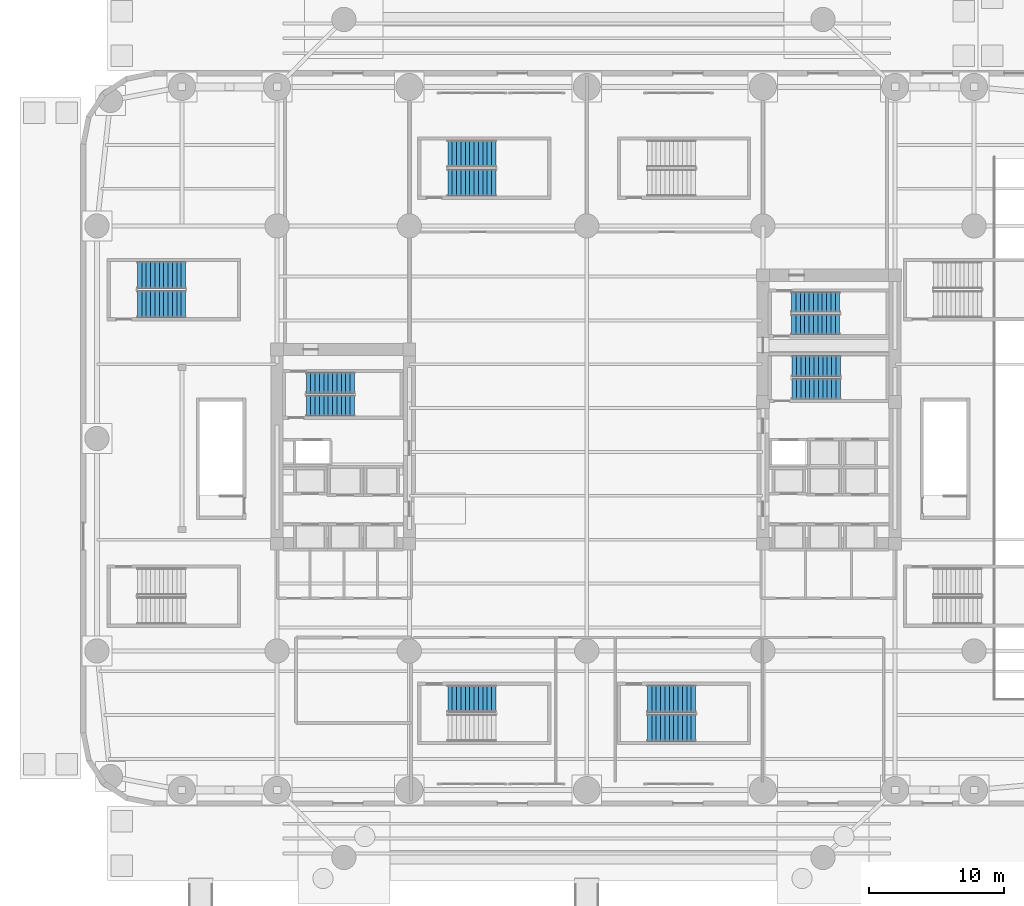
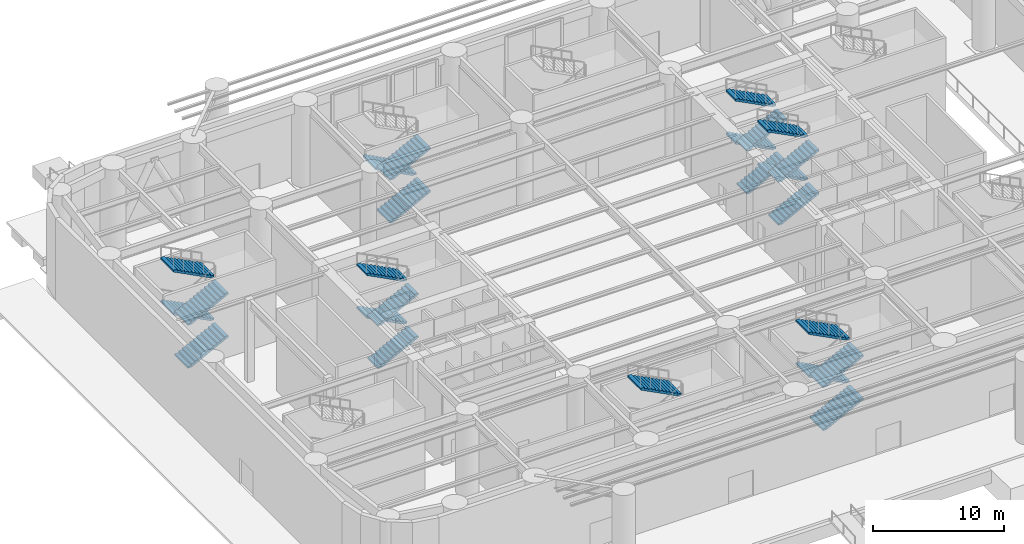
# One storey, part 14 of 25: 24 stair flights, 7 elements without a shape of their own.
"""IFC4 building model written with IfcOpenShell, lengths in metres."""

import ifcopenshell
import ifcopenshell.guid

model = None  # the IFC model being written
_history = None  # IfcOwnerHistory: only IFC2X3 demands one
_inside = {}  # id of a spatial element -> (the spatial element, [elements in it])
_under = {}  # id of a project, library or spatial element -> (it, [spatial elements below it])
_declared = {}  # id of a project -> (the project, [libraries it declares])
_typed = {}  # id of a type object -> (the type object, [elements of that type])
_made_of = {}  # id of a material, layer set ... -> (it, [elements and type objects made of it])


def new_model(schema):
    """Start an empty IFC model of exactly this schema.

    Asked for "IFC4X3", IfcOpenShell would pick the latest addendum, in which some entities
    have other attributes; the version numbers below select the first issue.
    IFC2X3 requires an IfcOwnerHistory on every rooted entity: one is made here for all.
    """
    global model, _history
    if schema == "IFC4X3":
        model = ifcopenshell.file(schema_version=(4, 3, 0, 0))
    else:
        model = ifcopenshell.file(schema=schema)
    _inside.clear()
    _under.clear()
    _declared.clear()
    _typed.clear()
    _made_of.clear()
    _history = None
    if model.schema == "IFC2X3":
        org = make("IfcOrganization", Name="unknown")
        user = make(
            "IfcPersonAndOrganization",
            ThePerson=make("IfcPerson", FamilyName="unknown"),
            TheOrganization=org,
        )
        app = make(
            "IfcApplication",
            ApplicationDeveloper=org,
            Version="unknown",
            ApplicationFullName="unknown",
            ApplicationIdentifier="unknown",
        )
        _history = make(
            "IfcOwnerHistory",
            OwningUser=user,
            OwningApplication=app,
            ChangeAction="ADDED",
            CreationDate=0,
        )
    return model


def make(cls, **values):
    """One entity of the class cls with the attributes given. An attribute that is None is left unset."""
    return model.create_entity(
        cls, **{name: value for name, value in values.items() if value is not None}
    )


def rooted(cls, **values):
    """An entity with a GlobalId (a new one), such as an element, a storey or a relation."""
    return make(cls, GlobalId=ifcopenshell.guid.new(), OwnerHistory=_history, **values)


def si_unit(unit_type, name, prefix=None):
    """IfcSIUnit, for example si_unit("LENGTHUNIT", "METRE", prefix="MILLI")."""
    return make("IfcSIUnit", UnitType=unit_type, Prefix=prefix, Name=name)


def assignment(units):
    """IfcUnitAssignment: the units of a project."""
    return None if units is None else make("IfcUnitAssignment", Units=units)


def point(xyz):
    """IfcCartesianPoint."""
    return None if xyz is None else make("IfcCartesianPoint", Coordinates=xyz)


def direction(xyz):
    """IfcDirection."""
    return None if xyz is None else make("IfcDirection", DirectionRatios=xyz)


def frame(location, z_axis=None, x_axis=None):
    """IfcAxis2Placement3D, a coordinate frame: its origin and axes. An axis left out is left unset."""
    return make(
        "IfcAxis2Placement3D",
        Location=point(location),
        Axis=direction(z_axis),
        RefDirection=direction(x_axis),
    )


def origin():
    """The frame at (0, 0, 0) with its axes left unset."""
    return frame((0.0, 0.0, 0.0))


def place(relative_to, where):
    """IfcLocalPlacement: puts the frame where relative to a parent placement (None: the world)."""
    return make(
        "IfcLocalPlacement", PlacementRelTo=relative_to, RelativePlacement=where
    )


def context(
    kind, dimensions, precision=None, world=None, true_north=None, identifier=None
):
    """IfcGeometricRepresentationContext, for example the 3D "Model" context."""
    return make(
        "IfcGeometricRepresentationContext",
        ContextIdentifier=identifier,
        ContextType=kind,
        CoordinateSpaceDimension=dimensions,
        Precision=precision,
        WorldCoordinateSystem=world,
        TrueNorth=true_north,
    )


def subcontext(parent, identifier, kind, view, scale=None):
    """IfcGeometricRepresentationSubContext, for example "Body" below "Model"."""
    return make(
        "IfcGeometricRepresentationSubContext",
        ContextIdentifier=identifier,
        ContextType=kind,
        ParentContext=parent,
        TargetScale=scale,
        TargetView=view,
    )


def project(units=None, contexts=None):
    """IfcProject with its units and contexts."""
    return rooted(
        "IfcProject",
        Name="project",
        RepresentationContexts=contexts,
        UnitsInContext=assignment(units),
    )


def spatial(cls, under=None, at=None, **own):
    """A site, building, storey or space (cls), placed at a placement, below another one or the project."""
    s = rooted(cls, ObjectPlacement=at, **own)
    if under is not None:
        _under.setdefault(under.id(), (under, []))[1].append(s)
    return s


def polyline(points):
    """IfcPolyline through the points."""
    return make("IfcPolyline", Points=[point(p) for p in points])


def outline(outer, holes=None, kind="AREA"):
    """IfcArbitraryClosedProfileDef: a profile drawn as a closed curve; with holes, ...WithVoids."""
    if holes is None:
        return make("IfcArbitraryClosedProfileDef", ProfileType=kind, OuterCurve=outer)
    return make(
        "IfcArbitraryProfileDefWithVoids",
        ProfileType=kind,
        OuterCurve=outer,
        InnerCurves=holes,
    )


def extrude(swept, where, along, depth):
    """IfcExtrudedAreaSolid: the profile swept, set in the frame where, extruded along a direction by depth."""
    return make(
        "IfcExtrudedAreaSolid",
        SweptArea=swept,
        Position=where,
        ExtrudedDirection=direction(along),
        Depth=depth,
    )


def shape(context_of_items, identifier, shape_type, items):
    """IfcShapeRepresentation: the items that make up one representation, for example the "Body"."""
    return make(
        "IfcShapeRepresentation",
        ContextOfItems=context_of_items,
        RepresentationIdentifier=identifier,
        RepresentationType=shape_type,
        Items=items,
    )


def material(Name=None, Category=None):
    """IfcMaterial."""
    return make("IfcMaterial", Name=Name, Category=Category)


def made_of(thing, what):
    """Note that an element or type object is made of a material, layer set ...; save() writes the relation."""
    if what is not None:
        _made_of.setdefault(what.id(), (what, []))[1].append(thing)
    return thing


def type_object(cls, material=None, **own):
    """A type object (cls), such as IfcWallType, which elements share."""
    return made_of(rooted(cls, **own), material)


def element(
    cls,
    number,
    at=None,
    inside=None,
    cuts=None,
    type_object=None,
    material=None,
    context=None,
    identifier="Body",
    shape_type=None,
    held_by="IfcProductDefinitionShape",
    body=None,
    shapes=None,
    **own,
):
    """One element of the class cls, such as IfcWall. Its Tag is "e" and its number.

    at: its placement. inside: the storey or other place that contains it. cuts: it is an
    opening in that element (IfcRelVoidsElement). A single representation is given by context,
    identifier, shape_type and body (its items); several are given by shapes. held_by: the class
    of the entity that holds the representations. save() writes the other relations.
    """
    e = rooted(cls, Tag="e%d" % number, ObjectPlacement=at, **own)
    if body is not None:
        shapes = [shape(context, identifier, shape_type, body)]
    if shapes is not None:
        e.Representation = make(held_by, Representations=shapes)
    if inside is not None:
        _inside.setdefault(inside.id(), (inside, []))[1].append(e)
    if cuts is not None:
        rooted(
            "IfcRelVoidsElement", RelatingBuildingElement=cuts, RelatedOpeningElement=e
        )
    if type_object is not None:
        _typed.setdefault(type_object.id(), (type_object, []))[1].append(e)
    return made_of(e, material)


def aggregate(whole, parts):
    """IfcRelAggregates: a whole, such as a stair, and the parts it consists of."""
    return rooted("IfcRelAggregates", RelatingObject=whole, RelatedObjects=parts)


def save(model, path):
    """Write the relations noted so far, then the file.

    IfcRelAggregates (storeys below a building ...), IfcRelContainedInSpatialStructure (elements
    in a storey), IfcRelDefinesByType, IfcRelAssociatesMaterial and IfcRelDeclares: one each for
    every whole, place, type object, material and project.
    """
    for whole, parts in _under.values():
        aggregate(whole, parts)
    for where, things in _inside.values():
        rooted(
            "IfcRelContainedInSpatialStructure",
            RelatedElements=things,
            RelatingStructure=where,
        )
    for kind, things in _typed.values():
        rooted("IfcRelDefinesByType", RelatedObjects=things, RelatingType=kind)
    for what, things in _made_of.values():
        rooted("IfcRelAssociatesMaterial", RelatedObjects=things, RelatingMaterial=what)
    for by, libraries in _declared.values():
        rooted("IfcRelDeclares", RelatingContext=by, RelatedDefinitions=libraries)
    model.write(path)


model = new_model("IFC4")

# Units and contexts
model_context = context("Model", 3, precision=1e-05, world=origin(), true_north=direction((0.0, 1.0)))
body_context = subcontext(model_context, "Body", "Model", "MODEL_VIEW")
ifc_project = project(units=[si_unit("LENGTHUNIT", "METRE"), si_unit("AREAUNIT", "SQUARE_METRE"), si_unit("VOLUMEUNIT", "CUBIC_METRE"), si_unit("PLANEANGLEUNIT", "RADIAN"), si_unit("MASSUNIT", "GRAM", prefix="KILO")], contexts=[model_context])

# Site, building, storey
site_placement = place(None, origin())
site = spatial("IfcSite", under=ifc_project, at=site_placement, CompositionType="ELEMENT")
building_placement = place(site_placement, origin())
building = spatial("IfcBuilding", under=site, at=building_placement, Name="Kolvaren Arena Tower", CompositionType="ELEMENT")
storey_placement = place(building_placement, origin())
storey = spatial("IfcBuildingStorey", under=building, at=storey_placement, Name="L00", CompositionType="ELEMENT", Elevation=0.0)

# Stair, stair flights
ifc_material = material(Name="Concrete 45 MPa", Category="concrete")
stair_type_1 = type_object("IfcStairType", Name="STAIR-CORE-150", PredefinedType="HALF_TURN_STAIR", material=ifc_material)
stair_1_placement = place(storey_placement, origin())
stair_1 = element("IfcStair", 1, at=stair_1_placement, inside=storey, type_object=stair_type_1, Name="L00 ST-E2", PredefinedType="HALF_TURN_STAIR")
stair_flight_type_1 = type_object("IfcStairFlightType", Name="FLT-150", PredefinedType="STRAIGHT", material=ifc_material)
stair_flight_1_placement = place(storey_placement, frame((52.679931640625, 35.699951171875, 0.0), z_axis=(0.0, 0.0, 1.0), x_axis=(1.0, 0.0, 0.0)))
stair_flight_1 = element("IfcStairFlight", 2, at=stair_flight_1_placement, type_object=stair_flight_type_1, Name="ST-E2 flight 1", NumberOfRisers=12, NumberOfTreads=11, PredefinedType="STRAIGHT", RiserHeight=0.166666667, TreadLength=0.324, context=body_context, shape_type="SweptSolid", body=[
    extrude(outline(polyline([(0.0, 0.0), (0.0, 0.166748046875), (0.323974609375, 0.166748046875), (0.323974609375, 0.333251953125), (0.64794921875, 0.333251953125), (0.64794921875, 0.5), (0.971923828125, 0.5), (0.971923828125, 0.666748046875), (1.2958984375, 0.666748046875), (1.2958984375, 0.833251953125), (1.6201171875, 0.833251953125), (1.6201171875, 1.0), (1.944091796875, 1.0), (1.944091796875, 1.166748046875), (2.26806640625, 1.166748046875), (2.26806640625, 1.333251953125), (2.592041015625, 1.333251953125), (2.592041015625, 1.5), (2.916015625, 1.5), (2.916015625, 1.666748046875), (3.239990234375, 1.666748046875), (3.239990234375, 1.833251953125), (3.56396484375, 1.833251953125), (3.56396484375, 2.0), (3.56396484375, 1.664794921875), (0.32763671875, 0.0), (0.0, 0.0)])), frame((0.0, 0.75, 0.0), z_axis=(0.0, -1.0, 0.0), x_axis=(1.0, 0.0, 0.0)), (0.0, 0.0, 1.0), 1.5),
])
stair_flight_2_placement = place(storey_placement, frame((56.243896484375, 37.35009765625, 2.0), z_axis=(0.0, 0.0, 1.0), x_axis=(-1.0, 0.0, 0.0)))
stair_flight_2 = element("IfcStairFlight", 3, at=stair_flight_2_placement, type_object=stair_flight_type_1, Name="ST-E2 flight 2", NumberOfRisers=12, NumberOfTreads=11, PredefinedType="STRAIGHT", RiserHeight=0.166666667, TreadLength=0.324, context=body_context, shape_type="SweptSolid", body=[
    extrude(outline(polyline([(0.0, 0.0), (0.0, 0.166748046875), (0.323974609375, 0.166748046875), (0.323974609375, 0.333251953125), (0.64794921875, 0.333251953125), (0.64794921875, 0.5), (0.971923828125, 0.5), (0.971923828125, 0.666748046875), (1.2958984375, 0.666748046875), (1.2958984375, 0.833251953125), (1.6201171875, 0.833251953125), (1.6201171875, 1.0), (1.944091796875, 1.0), (1.944091796875, 1.166748046875), (2.26806640625, 1.166748046875), (2.26806640625, 1.333251953125), (2.592041015625, 1.333251953125), (2.592041015625, 1.5), (2.916015625, 1.5), (2.916015625, 1.666748046875), (3.239990234375, 1.666748046875), (3.239990234375, 1.833251953125), (3.56396484375, 1.833251953125), (3.56396484375, 2.0), (3.56396484375, 1.664794921875), (0.32763671875, 0.0), (0.0, 0.0)])), frame((0.0, 0.75, 0.0), z_axis=(0.0, -1.0, 0.0), x_axis=(1.0, 0.0, 0.0)), (0.0, 0.0, 1.0), 1.5),
])
stair_flight_3_placement = place(storey_placement, frame((52.679931640625, 35.699951171875, 4.0), z_axis=(0.0, 0.0, 1.0), x_axis=(1.0, 0.0, 0.0)))
stair_flight_3 = element("IfcStairFlight", 4, at=stair_flight_3_placement, type_object=stair_flight_type_1, Name="ST-E2 flight 3", NumberOfRisers=12, NumberOfTreads=11, PredefinedType="STRAIGHT", RiserHeight=0.166666667, TreadLength=0.324, context=body_context, shape_type="SweptSolid", body=[
    extrude(outline(polyline([(0.0, 0.0), (0.0, 0.166748046875), (0.323974609375, 0.166748046875), (0.323974609375, 0.333251953125), (0.64794921875, 0.333251953125), (0.64794921875, 0.5), (0.971923828125, 0.5), (0.971923828125, 0.666748046875), (1.2958984375, 0.666748046875), (1.2958984375, 0.833251953125), (1.6201171875, 0.833251953125), (1.6201171875, 1.0), (1.944091796875, 1.0), (1.944091796875, 1.166748046875), (2.26806640625, 1.166748046875), (2.26806640625, 1.333251953125), (2.592041015625, 1.333251953125), (2.592041015625, 1.5), (2.916015625, 1.5), (2.916015625, 1.666748046875), (3.239990234375, 1.666748046875), (3.239990234375, 1.833251953125), (3.56396484375, 1.833251953125), (3.56396484375, 2.0), (3.56396484375, 1.664794921875), (0.32763671875, 0.0), (0.0, 0.0)])), frame((0.0, 0.75, 0.0), z_axis=(0.0, -1.0, 0.0), x_axis=(1.0, 0.0, 0.0)), (0.0, 0.0, 1.0), 1.5),
])
stair_flight_4_placement = place(storey_placement, frame((56.243896484375, 37.35009765625, 6.0), z_axis=(0.0, 0.0, 1.0), x_axis=(-1.0, 0.0, 0.0)))
stair_flight_4 = element("IfcStairFlight", 5, at=stair_flight_4_placement, type_object=stair_flight_type_1, Name="ST-E2 flight 4", NumberOfRisers=12, NumberOfTreads=11, PredefinedType="STRAIGHT", RiserHeight=0.166666667, TreadLength=0.324, context=body_context, shape_type="SweptSolid", body=[
    extrude(outline(polyline([(0.0, 0.0), (0.0, 0.166748046875), (0.323974609375, 0.166748046875), (0.323974609375, 0.333251953125), (0.64794921875, 0.333251953125), (0.64794921875, 0.5), (0.971923828125, 0.5), (0.971923828125, 0.666748046875), (1.2958984375, 0.666748046875), (1.2958984375, 0.833251953125), (1.6201171875, 0.833251953125), (1.6201171875, 1.0), (1.944091796875, 1.0), (1.944091796875, 1.166748046875), (2.26806640625, 1.166748046875), (2.26806640625, 1.333251953125), (2.592041015625, 1.333251953125), (2.592041015625, 1.5), (2.916015625, 1.5), (2.916015625, 1.666748046875), (3.239990234375, 1.666748046875), (3.239990234375, 1.833251953125), (3.56396484375, 1.833251953125), (3.56396484375, 2.0), (3.56396484375, 1.664794921875), (0.32763671875, 0.0), (0.0, 0.0)])), frame((0.0, 0.75, 0.0), z_axis=(0.0, -1.0, 0.0), x_axis=(1.0, 0.0, 0.0)), (0.0, 0.0, 1.0), 1.5),
])
aggregate(stair_1, [stair_flight_1, stair_flight_2, stair_flight_3, stair_flight_4])

stair_type_2 = type_object("IfcStairType", Name="STAIR-CORE-165", PredefinedType="HALF_TURN_STAIR", material=ifc_material)
stair_2_placement = place(storey_placement, origin())
stair_2 = element("IfcStair", 6, at=stair_2_placement, inside=storey, type_object=stair_type_2, Name="L00 ST-W1", PredefinedType="HALF_TURN_STAIR")
stair_flight_type_2 = type_object("IfcStairFlightType", Name="FLT-165", PredefinedType="STRAIGHT", material=ifc_material)
stair_flight_5_placement = place(storey_placement, frame((16.719970703125, 29.669921875, 0.0), z_axis=(0.0, 0.0, 1.0), x_axis=(1.0, 0.0, 0.0)))
stair_flight_5 = element("IfcStairFlight", 7, at=stair_flight_5_placement, type_object=stair_flight_type_2, Name="ST-W1 flight 1", NumberOfRisers=12, NumberOfTreads=11, PredefinedType="STRAIGHT", RiserHeight=0.166666667, TreadLength=0.324, context=body_context, shape_type="SweptSolid", body=[
    extrude(outline(polyline([(0.0, 0.0), (0.0, 0.166748046875), (0.323974609375, 0.166748046875), (0.323974609375, 0.333251953125), (0.64794921875, 0.333251953125), (0.64794921875, 0.5), (0.971923828125, 0.5), (0.971923828125, 0.666748046875), (1.2958984375, 0.666748046875), (1.2958984375, 0.833251953125), (1.6201171875, 0.833251953125), (1.6201171875, 1.0), (1.944091796875, 1.0), (1.944091796875, 1.166748046875), (2.26806640625, 1.166748046875), (2.26806640625, 1.333251953125), (2.592041015625, 1.333251953125), (2.592041015625, 1.5), (2.916015625, 1.5), (2.916015625, 1.666748046875), (3.239990234375, 1.666748046875), (3.239990234375, 1.833251953125), (3.56396484375, 1.833251953125), (3.56396484375, 2.0), (3.56396484375, 1.664794921875), (0.32763671875, 0.0), (0.0, 0.0)])), frame((0.0, 0.77001953125, 0.0), z_axis=(0.0, -1.0, 0.0), x_axis=(1.0, 0.0, 0.0)), (0.0, 0.0, 1.0), 1.5400390625),
])
stair_flight_6_placement = place(storey_placement, frame((20.283935546875, 31.360107421875, 2.0), z_axis=(0.0, 0.0, 1.0), x_axis=(-1.0, 0.0, 0.0)))
stair_flight_6 = element("IfcStairFlight", 8, at=stair_flight_6_placement, type_object=stair_flight_type_2, Name="ST-W1 flight 2", NumberOfRisers=12, NumberOfTreads=11, PredefinedType="STRAIGHT", RiserHeight=0.166666667, TreadLength=0.324, context=body_context, shape_type="SweptSolid", body=[
    extrude(outline(polyline([(0.0, 0.0), (0.0, 0.166748046875), (0.323974609375, 0.166748046875), (0.323974609375, 0.333251953125), (0.64794921875, 0.333251953125), (0.64794921875, 0.5), (0.971923828125, 0.5), (0.971923828125, 0.666748046875), (1.2958984375, 0.666748046875), (1.2958984375, 0.833251953125), (1.6201171875, 0.833251953125), (1.6201171875, 1.0), (1.944091796875, 1.0), (1.944091796875, 1.166748046875), (2.26806640625, 1.166748046875), (2.26806640625, 1.333251953125), (2.592041015625, 1.333251953125), (2.592041015625, 1.5), (2.916015625, 1.5), (2.916015625, 1.666748046875), (3.239990234375, 1.666748046875), (3.239990234375, 1.833251953125), (3.56396484375, 1.833251953125), (3.56396484375, 2.0), (3.56396484375, 1.664794921875), (0.32763671875, 0.0), (0.0, 0.0)])), frame((0.0, 0.77001953125, 0.0), z_axis=(0.0, -1.0, 0.0), x_axis=(1.0, 0.0, 0.0)), (0.0, 0.0, 1.0), 1.5400390625),
])
stair_flight_7_placement = place(storey_placement, frame((16.719970703125, 29.669921875, 4.0), z_axis=(0.0, 0.0, 1.0), x_axis=(1.0, 0.0, 0.0)))
stair_flight_7 = element("IfcStairFlight", 9, at=stair_flight_7_placement, type_object=stair_flight_type_2, Name="ST-W1 flight 3", NumberOfRisers=12, NumberOfTreads=11, PredefinedType="STRAIGHT", RiserHeight=0.166666667, TreadLength=0.324, context=body_context, shape_type="SweptSolid", body=[
    extrude(outline(polyline([(0.0, 0.0), (0.0, 0.166748046875), (0.323974609375, 0.166748046875), (0.323974609375, 0.333251953125), (0.64794921875, 0.333251953125), (0.64794921875, 0.5), (0.971923828125, 0.5), (0.971923828125, 0.666748046875), (1.2958984375, 0.666748046875), (1.2958984375, 0.833251953125), (1.6201171875, 0.833251953125), (1.6201171875, 1.0), (1.944091796875, 1.0), (1.944091796875, 1.166748046875), (2.26806640625, 1.166748046875), (2.26806640625, 1.333251953125), (2.592041015625, 1.333251953125), (2.592041015625, 1.5), (2.916015625, 1.5), (2.916015625, 1.666748046875), (3.239990234375, 1.666748046875), (3.239990234375, 1.833251953125), (3.56396484375, 1.833251953125), (3.56396484375, 2.0), (3.56396484375, 1.664794921875), (0.32763671875, 0.0), (0.0, 0.0)])), frame((0.0, 0.77001953125, 0.0), z_axis=(0.0, -1.0, 0.0), x_axis=(1.0, 0.0, 0.0)), (0.0, 0.0, 1.0), 1.5400390625),
])
stair_flight_8_placement = place(storey_placement, frame((20.283935546875, 31.360107421875, 6.0), z_axis=(0.0, 0.0, 1.0), x_axis=(-1.0, 0.0, 0.0)))
stair_flight_8 = element("IfcStairFlight", 10, at=stair_flight_8_placement, type_object=stair_flight_type_2, Name="ST-W1 flight 4", NumberOfRisers=12, NumberOfTreads=11, PredefinedType="STRAIGHT", RiserHeight=0.166666667, TreadLength=0.324, context=body_context, shape_type="SweptSolid", body=[
    extrude(outline(polyline([(0.0, 0.0), (0.0, 0.166748046875), (0.323974609375, 0.166748046875), (0.323974609375, 0.333251953125), (0.64794921875, 0.333251953125), (0.64794921875, 0.5), (0.971923828125, 0.5), (0.971923828125, 0.666748046875), (1.2958984375, 0.666748046875), (1.2958984375, 0.833251953125), (1.6201171875, 0.833251953125), (1.6201171875, 1.0), (1.944091796875, 1.0), (1.944091796875, 1.166748046875), (2.26806640625, 1.166748046875), (2.26806640625, 1.333251953125), (2.592041015625, 1.333251953125), (2.592041015625, 1.5), (2.916015625, 1.5), (2.916015625, 1.666748046875), (3.239990234375, 1.666748046875), (3.239990234375, 1.833251953125), (3.56396484375, 1.833251953125), (3.56396484375, 2.0), (3.56396484375, 1.664794921875), (0.32763671875, 0.0), (0.0, 0.0)])), frame((0.0, 0.77001953125, 0.0), z_axis=(0.0, -1.0, 0.0), x_axis=(1.0, 0.0, 0.0)), (0.0, 0.0, 1.0), 1.5400390625),
])
aggregate(stair_2, [stair_flight_5, stair_flight_6, stair_flight_7, stair_flight_8])

stair_3_placement = place(storey_placement, origin())
stair_3 = element("IfcStair", 11, at=stair_3_placement, inside=storey, type_object=stair_type_2, Name="L00 ST-E1", PredefinedType="HALF_TURN_STAIR")
stair_flight_9_placement = place(storey_placement, frame((52.719970703125, 30.919921875, 0.0), z_axis=(0.0, 0.0, 1.0), x_axis=(1.0, 0.0, 0.0)))
stair_flight_9 = element("IfcStairFlight", 12, at=stair_flight_9_placement, type_object=stair_flight_type_2, Name="ST-E1 flight 1", NumberOfRisers=12, NumberOfTreads=11, PredefinedType="STRAIGHT", RiserHeight=0.166666667, TreadLength=0.324, context=body_context, shape_type="SweptSolid", body=[
    extrude(outline(polyline([(0.0, 0.0), (0.0, 0.166748046875), (0.323974609375, 0.166748046875), (0.323974609375, 0.333251953125), (0.64794921875, 0.333251953125), (0.64794921875, 0.5), (0.971923828125, 0.5), (0.971923828125, 0.666748046875), (1.2958984375, 0.666748046875), (1.2958984375, 0.833251953125), (1.6201171875, 0.833251953125), (1.6201171875, 1.0), (1.944091796875, 1.0), (1.944091796875, 1.166748046875), (2.26806640625, 1.166748046875), (2.26806640625, 1.333251953125), (2.592041015625, 1.333251953125), (2.592041015625, 1.5), (2.916015625, 1.5), (2.916015625, 1.666748046875), (3.239990234375, 1.666748046875), (3.239990234375, 1.833251953125), (3.56396484375, 1.833251953125), (3.56396484375, 2.0), (3.56396484375, 1.664794921875), (0.32763671875, 0.0), (0.0, 0.0)])), frame((0.0, 0.77001953125, 0.0), z_axis=(0.0, -1.0, 0.0), x_axis=(1.0, 0.0, 0.0)), (0.0, 0.0, 1.0), 1.5400390625),
])
stair_flight_10_placement = place(storey_placement, frame((56.283935546875, 32.610107421875, 2.0), z_axis=(0.0, 0.0, 1.0), x_axis=(-1.0, 0.0, 0.0)))
stair_flight_10 = element("IfcStairFlight", 13, at=stair_flight_10_placement, type_object=stair_flight_type_2, Name="ST-E1 flight 2", NumberOfRisers=12, NumberOfTreads=11, PredefinedType="STRAIGHT", RiserHeight=0.166666667, TreadLength=0.324, context=body_context, shape_type="SweptSolid", body=[
    extrude(outline(polyline([(0.0, 0.0), (0.0, 0.166748046875), (0.323974609375, 0.166748046875), (0.323974609375, 0.333251953125), (0.64794921875, 0.333251953125), (0.64794921875, 0.5), (0.971923828125, 0.5), (0.971923828125, 0.666748046875), (1.2958984375, 0.666748046875), (1.2958984375, 0.833251953125), (1.6201171875, 0.833251953125), (1.6201171875, 1.0), (1.944091796875, 1.0), (1.944091796875, 1.166748046875), (2.26806640625, 1.166748046875), (2.26806640625, 1.333251953125), (2.592041015625, 1.333251953125), (2.592041015625, 1.5), (2.916015625, 1.5), (2.916015625, 1.666748046875), (3.239990234375, 1.666748046875), (3.239990234375, 1.833251953125), (3.56396484375, 1.833251953125), (3.56396484375, 2.0), (3.56396484375, 1.664794921875), (0.32763671875, 0.0), (0.0, 0.0)])), frame((0.0, 0.77001953125, 0.0), z_axis=(0.0, -1.0, 0.0), x_axis=(1.0, 0.0, 0.0)), (0.0, 0.0, 1.0), 1.5400390625),
])
stair_flight_11_placement = place(storey_placement, frame((52.719970703125, 30.919921875, 4.0), z_axis=(0.0, 0.0, 1.0), x_axis=(1.0, 0.0, 0.0)))
stair_flight_11 = element("IfcStairFlight", 14, at=stair_flight_11_placement, type_object=stair_flight_type_2, Name="ST-E1 flight 3", NumberOfRisers=12, NumberOfTreads=11, PredefinedType="STRAIGHT", RiserHeight=0.166666667, TreadLength=0.324, context=body_context, shape_type="SweptSolid", body=[
    extrude(outline(polyline([(0.0, 0.0), (0.0, 0.166748046875), (0.323974609375, 0.166748046875), (0.323974609375, 0.333251953125), (0.64794921875, 0.333251953125), (0.64794921875, 0.5), (0.971923828125, 0.5), (0.971923828125, 0.666748046875), (1.2958984375, 0.666748046875), (1.2958984375, 0.833251953125), (1.6201171875, 0.833251953125), (1.6201171875, 1.0), (1.944091796875, 1.0), (1.944091796875, 1.166748046875), (2.26806640625, 1.166748046875), (2.26806640625, 1.333251953125), (2.592041015625, 1.333251953125), (2.592041015625, 1.5), (2.916015625, 1.5), (2.916015625, 1.666748046875), (3.239990234375, 1.666748046875), (3.239990234375, 1.833251953125), (3.56396484375, 1.833251953125), (3.56396484375, 2.0), (3.56396484375, 1.664794921875), (0.32763671875, 0.0), (0.0, 0.0)])), frame((0.0, 0.77001953125, 0.0), z_axis=(0.0, -1.0, 0.0), x_axis=(1.0, 0.0, 0.0)), (0.0, 0.0, 1.0), 1.5400390625),
])
stair_flight_12_placement = place(storey_placement, frame((56.283935546875, 32.610107421875, 6.0), z_axis=(0.0, 0.0, 1.0), x_axis=(-1.0, 0.0, 0.0)))
stair_flight_12 = element("IfcStairFlight", 15, at=stair_flight_12_placement, type_object=stair_flight_type_2, Name="ST-E1 flight 4", NumberOfRisers=12, NumberOfTreads=11, PredefinedType="STRAIGHT", RiserHeight=0.166666667, TreadLength=0.324, context=body_context, shape_type="SweptSolid", body=[
    extrude(outline(polyline([(0.0, 0.0), (0.0, 0.166748046875), (0.323974609375, 0.166748046875), (0.323974609375, 0.333251953125), (0.64794921875, 0.333251953125), (0.64794921875, 0.5), (0.971923828125, 0.5), (0.971923828125, 0.666748046875), (1.2958984375, 0.666748046875), (1.2958984375, 0.833251953125), (1.6201171875, 0.833251953125), (1.6201171875, 1.0), (1.944091796875, 1.0), (1.944091796875, 1.166748046875), (2.26806640625, 1.166748046875), (2.26806640625, 1.333251953125), (2.592041015625, 1.333251953125), (2.592041015625, 1.5), (2.916015625, 1.5), (2.916015625, 1.666748046875), (3.239990234375, 1.666748046875), (3.239990234375, 1.833251953125), (3.56396484375, 1.833251953125), (3.56396484375, 2.0), (3.56396484375, 1.664794921875), (0.32763671875, 0.0), (0.0, 0.0)])), frame((0.0, 0.77001953125, 0.0), z_axis=(0.0, -1.0, 0.0), x_axis=(1.0, 0.0, 0.0)), (0.0, 0.0, 1.0), 1.5400390625),
])
aggregate(stair_3, [stair_flight_9, stair_flight_10, stair_flight_11, stair_flight_12])

# Stair, stair flight
stair_type_3 = type_object("IfcStairType", Name="STAIR-ARENA-220", PredefinedType="HALF_TURN_STAIR", material=ifc_material)
stair_4_placement = place(storey_placement, origin())
stair_4 = element("IfcStair", 16, at=stair_4_placement, inside=storey, type_object=stair_type_3, Name="L00 ST-A2", PredefinedType="HALF_TURN_STAIR")
stair_flight_type_3 = type_object("IfcStairFlightType", Name="FLT-220", PredefinedType="STRAIGHT", material=ifc_material)
stair_flight_13_placement = place(storey_placement, frame((30.763916015625, 7.949951171875, 6.0), z_axis=(0.0, 0.0, 1.0), x_axis=(-1.0, 0.0, 0.0)))
stair_flight_13 = element("IfcStairFlight", 17, at=stair_flight_13_placement, type_object=stair_flight_type_3, Name="ST-A2 flight 4", NumberOfRisers=12, NumberOfTreads=11, PredefinedType="STRAIGHT", RiserHeight=0.166666667, TreadLength=0.324, context=body_context, shape_type="SweptSolid", body=[
    extrude(outline(polyline([(0.0, 0.0), (0.0, 0.166748046875), (0.323974609375, 0.166748046875), (0.323974609375, 0.333251953125), (0.64794921875, 0.333251953125), (0.64794921875, 0.5), (0.971923828125, 0.5), (0.971923828125, 0.666748046875), (1.2958984375, 0.666748046875), (1.2958984375, 0.833251953125), (1.6201171875, 0.833251953125), (1.6201171875, 1.0), (1.944091796875, 1.0), (1.944091796875, 1.166748046875), (2.26806640625, 1.166748046875), (2.26806640625, 1.333251953125), (2.592041015625, 1.333251953125), (2.592041015625, 1.5), (2.916015625, 1.5), (2.916015625, 1.666748046875), (3.239990234375, 1.666748046875), (3.239990234375, 1.833251953125), (3.56396484375, 1.833251953125), (3.56396484375, 2.0), (3.56396484375, 1.664794921875), (0.32763671875, 0.0), (0.0, 0.0)])), frame((0.0, 1.0, 0.0), z_axis=(0.0, -1.0, 0.0), x_axis=(1.0, 0.0, 0.0)), (0.0, 0.0, 1.0), 2.0),
])
aggregate(stair_4, [stair_flight_13])

# Stair, stair flights
stair_5_placement = place(storey_placement, origin())
stair_5 = element("IfcStair", 18, at=stair_5_placement, inside=storey, type_object=stair_type_3, Name="L00 ST-A3", PredefinedType="HALF_TURN_STAIR")
stair_flight_14_placement = place(storey_placement, frame((42.0, 5.800048828125, 0.0), z_axis=(0.0, 0.0, 1.0), x_axis=(1.0, 0.0, 0.0)))
stair_flight_14 = element("IfcStairFlight", 19, at=stair_flight_14_placement, type_object=stair_flight_type_3, Name="ST-A3 flight 1", NumberOfRisers=12, NumberOfTreads=11, PredefinedType="STRAIGHT", RiserHeight=0.166666667, TreadLength=0.324, context=body_context, shape_type="SweptSolid", body=[
    extrude(outline(polyline([(0.0, 0.0), (0.0, 0.166748046875), (0.323974609375, 0.166748046875), (0.323974609375, 0.333251953125), (0.64794921875, 0.333251953125), (0.64794921875, 0.5), (0.971923828125, 0.5), (0.971923828125, 0.666748046875), (1.2958984375, 0.666748046875), (1.2958984375, 0.833251953125), (1.6201171875, 0.833251953125), (1.6201171875, 1.0), (1.944091796875, 1.0), (1.944091796875, 1.166748046875), (2.26806640625, 1.166748046875), (2.26806640625, 1.333251953125), (2.592041015625, 1.333251953125), (2.592041015625, 1.5), (2.916015625, 1.5), (2.916015625, 1.666748046875), (3.239990234375, 1.666748046875), (3.239990234375, 1.833251953125), (3.56396484375, 1.833251953125), (3.56396484375, 2.0), (3.56396484375, 1.664794921875), (0.32763671875, 0.0), (0.0, 0.0)])), frame((0.0, 1.0, 0.0), z_axis=(0.0, -1.0, 0.0), x_axis=(1.0, 0.0, 0.0)), (0.0, 0.0, 1.0), 2.0),
])
stair_flight_15_placement = place(storey_placement, frame((45.56396484375, 7.949951171875, 2.0), z_axis=(0.0, 0.0, 1.0), x_axis=(-1.0, 0.0, 0.0)))
stair_flight_15 = element("IfcStairFlight", 20, at=stair_flight_15_placement, type_object=stair_flight_type_3, Name="ST-A3 flight 2", NumberOfRisers=12, NumberOfTreads=11, PredefinedType="STRAIGHT", RiserHeight=0.166666667, TreadLength=0.324, context=body_context, shape_type="SweptSolid", body=[
    extrude(outline(polyline([(0.0, 0.0), (0.0, 0.166748046875), (0.323974609375, 0.166748046875), (0.323974609375, 0.333251953125), (0.64794921875, 0.333251953125), (0.64794921875, 0.5), (0.971923828125, 0.5), (0.971923828125, 0.666748046875), (1.2958984375, 0.666748046875), (1.2958984375, 0.833251953125), (1.6201171875, 0.833251953125), (1.6201171875, 1.0), (1.944091796875, 1.0), (1.944091796875, 1.166748046875), (2.26806640625, 1.166748046875), (2.26806640625, 1.333251953125), (2.592041015625, 1.333251953125), (2.592041015625, 1.5), (2.916015625, 1.5), (2.916015625, 1.666748046875), (3.239990234375, 1.666748046875), (3.239990234375, 1.833251953125), (3.56396484375, 1.833251953125), (3.56396484375, 2.0), (3.56396484375, 1.664794921875), (0.32763671875, 0.0), (0.0, 0.0)])), frame((0.0, 1.0, 0.0), z_axis=(0.0, -1.0, 0.0), x_axis=(1.0, 0.0, 0.0)), (0.0, 0.0, 1.0), 2.0),
])
stair_flight_16_placement = place(storey_placement, frame((42.0, 5.800048828125, 4.0), z_axis=(0.0, 0.0, 1.0), x_axis=(1.0, 0.0, 0.0)))
stair_flight_16 = element("IfcStairFlight", 21, at=stair_flight_16_placement, type_object=stair_flight_type_3, Name="ST-A3 flight 3", NumberOfRisers=12, NumberOfTreads=11, PredefinedType="STRAIGHT", RiserHeight=0.166666667, TreadLength=0.324, context=body_context, shape_type="SweptSolid", body=[
    extrude(outline(polyline([(0.0, 0.0), (0.0, 0.166748046875), (0.323974609375, 0.166748046875), (0.323974609375, 0.333251953125), (0.64794921875, 0.333251953125), (0.64794921875, 0.5), (0.971923828125, 0.5), (0.971923828125, 0.666748046875), (1.2958984375, 0.666748046875), (1.2958984375, 0.833251953125), (1.6201171875, 0.833251953125), (1.6201171875, 1.0), (1.944091796875, 1.0), (1.944091796875, 1.166748046875), (2.26806640625, 1.166748046875), (2.26806640625, 1.333251953125), (2.592041015625, 1.333251953125), (2.592041015625, 1.5), (2.916015625, 1.5), (2.916015625, 1.666748046875), (3.239990234375, 1.666748046875), (3.239990234375, 1.833251953125), (3.56396484375, 1.833251953125), (3.56396484375, 2.0), (3.56396484375, 1.664794921875), (0.32763671875, 0.0), (0.0, 0.0)])), frame((0.0, 1.0, 0.0), z_axis=(0.0, -1.0, 0.0), x_axis=(1.0, 0.0, 0.0)), (0.0, 0.0, 1.0), 2.0),
])
stair_flight_17_placement = place(storey_placement, frame((45.56396484375, 7.949951171875, 6.0), z_axis=(0.0, 0.0, 1.0), x_axis=(-1.0, 0.0, 0.0)))
stair_flight_17 = element("IfcStairFlight", 22, at=stair_flight_17_placement, type_object=stair_flight_type_3, Name="ST-A3 flight 4", NumberOfRisers=12, NumberOfTreads=11, PredefinedType="STRAIGHT", RiserHeight=0.166666667, TreadLength=0.324, context=body_context, shape_type="SweptSolid", body=[
    extrude(outline(polyline([(0.0, 0.0), (0.0, 0.166748046875), (0.323974609375, 0.166748046875), (0.323974609375, 0.333251953125), (0.64794921875, 0.333251953125), (0.64794921875, 0.5), (0.971923828125, 0.5), (0.971923828125, 0.666748046875), (1.2958984375, 0.666748046875), (1.2958984375, 0.833251953125), (1.6201171875, 0.833251953125), (1.6201171875, 1.0), (1.944091796875, 1.0), (1.944091796875, 1.166748046875), (2.26806640625, 1.166748046875), (2.26806640625, 1.333251953125), (2.592041015625, 1.333251953125), (2.592041015625, 1.5), (2.916015625, 1.5), (2.916015625, 1.666748046875), (3.239990234375, 1.666748046875), (3.239990234375, 1.833251953125), (3.56396484375, 1.833251953125), (3.56396484375, 2.0), (3.56396484375, 1.664794921875), (0.32763671875, 0.0), (0.0, 0.0)])), frame((0.0, 1.0, 0.0), z_axis=(0.0, -1.0, 0.0), x_axis=(1.0, 0.0, 0.0)), (0.0, 0.0, 1.0), 2.0),
])
aggregate(stair_5, [stair_flight_14, stair_flight_15, stair_flight_16, stair_flight_17])

stair_6_placement = place(storey_placement, origin())
stair_6 = element("IfcStair", 23, at=stair_6_placement, inside=storey, type_object=stair_type_3, Name="L00 ST-A5", PredefinedType="HALF_TURN_STAIR")
stair_flight_18_placement = place(storey_placement, frame((4.199951171875, 37.199951171875, 0.0), z_axis=(0.0, 0.0, 1.0), x_axis=(1.0, 0.0, 0.0)))
stair_flight_18 = element("IfcStairFlight", 24, at=stair_flight_18_placement, type_object=stair_flight_type_3, Name="ST-A5 flight 1", NumberOfRisers=12, NumberOfTreads=11, PredefinedType="STRAIGHT", RiserHeight=0.166666667, TreadLength=0.324, context=body_context, shape_type="SweptSolid", body=[
    extrude(outline(polyline([(0.0, 0.0), (0.0, 0.166748046875), (0.323974609375, 0.166748046875), (0.323974609375, 0.333251953125), (0.64794921875, 0.333251953125), (0.64794921875, 0.5), (0.971923828125, 0.5), (0.971923828125, 0.666748046875), (1.2958984375, 0.666748046875), (1.2958984375, 0.833251953125), (1.6201171875, 0.833251953125), (1.6201171875, 1.0), (1.944091796875, 1.0), (1.944091796875, 1.166748046875), (2.26806640625, 1.166748046875), (2.26806640625, 1.333251953125), (2.592041015625, 1.333251953125), (2.592041015625, 1.5), (2.916015625, 1.5), (2.916015625, 1.666748046875), (3.239990234375, 1.666748046875), (3.239990234375, 1.833251953125), (3.56396484375, 1.833251953125), (3.56396484375, 2.0), (3.56396484375, 1.664794921875), (0.32763671875, 0.0), (0.0, 0.0)])), frame((0.0, 1.0, 0.0), z_axis=(0.0, -1.0, 0.0), x_axis=(1.0, 0.0, 0.0)), (0.0, 0.0, 1.0), 2.0),
])
stair_flight_19_placement = place(storey_placement, frame((7.763916015625, 39.35009765625, 2.0), z_axis=(0.0, 0.0, 1.0), x_axis=(-1.0, 0.0, 0.0)))
stair_flight_19 = element("IfcStairFlight", 25, at=stair_flight_19_placement, type_object=stair_flight_type_3, Name="ST-A5 flight 2", NumberOfRisers=12, NumberOfTreads=11, PredefinedType="STRAIGHT", RiserHeight=0.166666667, TreadLength=0.324, context=body_context, shape_type="SweptSolid", body=[
    extrude(outline(polyline([(0.0, 0.0), (0.0, 0.166748046875), (0.323974609375, 0.166748046875), (0.323974609375, 0.333251953125), (0.64794921875, 0.333251953125), (0.64794921875, 0.5), (0.971923828125, 0.5), (0.971923828125, 0.666748046875), (1.2958984375, 0.666748046875), (1.2958984375, 0.833251953125), (1.6201171875, 0.833251953125), (1.6201171875, 1.0), (1.944091796875, 1.0), (1.944091796875, 1.166748046875), (2.26806640625, 1.166748046875), (2.26806640625, 1.333251953125), (2.592041015625, 1.333251953125), (2.592041015625, 1.5), (2.916015625, 1.5), (2.916015625, 1.666748046875), (3.239990234375, 1.666748046875), (3.239990234375, 1.833251953125), (3.56396484375, 1.833251953125), (3.56396484375, 2.0), (3.56396484375, 1.664794921875), (0.32763671875, 0.0), (0.0, 0.0)])), frame((0.0, 1.0, 0.0), z_axis=(0.0, -1.0, 0.0), x_axis=(1.0, 0.0, 0.0)), (0.0, 0.0, 1.0), 2.0),
])
stair_flight_20_placement = place(storey_placement, frame((4.199951171875, 37.199951171875, 4.0), z_axis=(0.0, 0.0, 1.0), x_axis=(1.0, 0.0, 0.0)))
stair_flight_20 = element("IfcStairFlight", 26, at=stair_flight_20_placement, type_object=stair_flight_type_3, Name="ST-A5 flight 3", NumberOfRisers=12, NumberOfTreads=11, PredefinedType="STRAIGHT", RiserHeight=0.166666667, TreadLength=0.324, context=body_context, shape_type="SweptSolid", body=[
    extrude(outline(polyline([(0.0, 0.0), (0.0, 0.166748046875), (0.323974609375, 0.166748046875), (0.323974609375, 0.333251953125), (0.64794921875, 0.333251953125), (0.64794921875, 0.5), (0.971923828125, 0.5), (0.971923828125, 0.666748046875), (1.2958984375, 0.666748046875), (1.2958984375, 0.833251953125), (1.6201171875, 0.833251953125), (1.6201171875, 1.0), (1.944091796875, 1.0), (1.944091796875, 1.166748046875), (2.26806640625, 1.166748046875), (2.26806640625, 1.333251953125), (2.592041015625, 1.333251953125), (2.592041015625, 1.5), (2.916015625, 1.5), (2.916015625, 1.666748046875), (3.239990234375, 1.666748046875), (3.239990234375, 1.833251953125), (3.56396484375, 1.833251953125), (3.56396484375, 2.0), (3.56396484375, 1.664794921875), (0.32763671875, 0.0), (0.0, 0.0)])), frame((0.0, 1.0, 0.0), z_axis=(0.0, -1.0, 0.0), x_axis=(1.0, 0.0, 0.0)), (0.0, 0.0, 1.0), 2.0),
])
stair_flight_21_placement = place(storey_placement, frame((7.763916015625, 39.35009765625, 6.0), z_axis=(0.0, 0.0, 1.0), x_axis=(-1.0, 0.0, 0.0)))
stair_flight_21 = element("IfcStairFlight", 27, at=stair_flight_21_placement, type_object=stair_flight_type_3, Name="ST-A5 flight 4", NumberOfRisers=12, NumberOfTreads=11, PredefinedType="STRAIGHT", RiserHeight=0.166666667, TreadLength=0.324, context=body_context, shape_type="SweptSolid", body=[
    extrude(outline(polyline([(0.0, 0.0), (0.0, 0.166748046875), (0.323974609375, 0.166748046875), (0.323974609375, 0.333251953125), (0.64794921875, 0.333251953125), (0.64794921875, 0.5), (0.971923828125, 0.5), (0.971923828125, 0.666748046875), (1.2958984375, 0.666748046875), (1.2958984375, 0.833251953125), (1.6201171875, 0.833251953125), (1.6201171875, 1.0), (1.944091796875, 1.0), (1.944091796875, 1.166748046875), (2.26806640625, 1.166748046875), (2.26806640625, 1.333251953125), (2.592041015625, 1.333251953125), (2.592041015625, 1.5), (2.916015625, 1.5), (2.916015625, 1.666748046875), (3.239990234375, 1.666748046875), (3.239990234375, 1.833251953125), (3.56396484375, 1.833251953125), (3.56396484375, 2.0), (3.56396484375, 1.664794921875), (0.32763671875, 0.0), (0.0, 0.0)])), frame((0.0, 1.0, 0.0), z_axis=(0.0, -1.0, 0.0), x_axis=(1.0, 0.0, 0.0)), (0.0, 0.0, 1.0), 2.0),
])
aggregate(stair_6, [stair_flight_18, stair_flight_19, stair_flight_20, stair_flight_21])

stair_7_placement = place(storey_placement, origin())
stair_7 = element("IfcStair", 28, at=stair_7_placement, inside=storey, type_object=stair_type_3, Name="L00 ST-A6", PredefinedType="HALF_TURN_STAIR")
stair_flight_22_placement = place(storey_placement, frame((27.199951171875, 46.199951171875, 0.0), z_axis=(0.0, 0.0, 1.0), x_axis=(1.0, 0.0, 0.0)))
stair_flight_22 = element("IfcStairFlight", 29, at=stair_flight_22_placement, type_object=stair_flight_type_3, Name="ST-A6 flight 1", NumberOfRisers=12, NumberOfTreads=11, PredefinedType="STRAIGHT", RiserHeight=0.166666667, TreadLength=0.324, context=body_context, shape_type="SweptSolid", body=[
    extrude(outline(polyline([(0.0, 0.0), (0.0, 0.166748046875), (0.323974609375, 0.166748046875), (0.323974609375, 0.333251953125), (0.64794921875, 0.333251953125), (0.64794921875, 0.5), (0.971923828125, 0.5), (0.971923828125, 0.666748046875), (1.2958984375, 0.666748046875), (1.2958984375, 0.833251953125), (1.6201171875, 0.833251953125), (1.6201171875, 1.0), (1.944091796875, 1.0), (1.944091796875, 1.166748046875), (2.26806640625, 1.166748046875), (2.26806640625, 1.333251953125), (2.592041015625, 1.333251953125), (2.592041015625, 1.5), (2.916015625, 1.5), (2.916015625, 1.666748046875), (3.239990234375, 1.666748046875), (3.239990234375, 1.833251953125), (3.56396484375, 1.833251953125), (3.56396484375, 2.0), (3.56396484375, 1.664794921875), (0.32763671875, 0.0), (0.0, 0.0)])), frame((0.0, 1.0, 0.0), z_axis=(0.0, -1.0, 0.0), x_axis=(1.0, 0.0, 0.0)), (0.0, 0.0, 1.0), 2.0),
])
stair_flight_23_placement = place(storey_placement, frame((30.763916015625, 48.35009765625, 2.0), z_axis=(0.0, 0.0, 1.0), x_axis=(-1.0, 0.0, 0.0)))
stair_flight_23 = element("IfcStairFlight", 30, at=stair_flight_23_placement, type_object=stair_flight_type_3, Name="ST-A6 flight 2", NumberOfRisers=12, NumberOfTreads=11, PredefinedType="STRAIGHT", RiserHeight=0.166666667, TreadLength=0.324, context=body_context, shape_type="SweptSolid", body=[
    extrude(outline(polyline([(0.0, 0.0), (0.0, 0.166748046875), (0.323974609375, 0.166748046875), (0.323974609375, 0.333251953125), (0.64794921875, 0.333251953125), (0.64794921875, 0.5), (0.971923828125, 0.5), (0.971923828125, 0.666748046875), (1.2958984375, 0.666748046875), (1.2958984375, 0.833251953125), (1.6201171875, 0.833251953125), (1.6201171875, 1.0), (1.944091796875, 1.0), (1.944091796875, 1.166748046875), (2.26806640625, 1.166748046875), (2.26806640625, 1.333251953125), (2.592041015625, 1.333251953125), (2.592041015625, 1.5), (2.916015625, 1.5), (2.916015625, 1.666748046875), (3.239990234375, 1.666748046875), (3.239990234375, 1.833251953125), (3.56396484375, 1.833251953125), (3.56396484375, 2.0), (3.56396484375, 1.664794921875), (0.32763671875, 0.0), (0.0, 0.0)])), frame((0.0, 1.0, 0.0), z_axis=(0.0, -1.0, 0.0), x_axis=(1.0, 0.0, 0.0)), (0.0, 0.0, 1.0), 2.0),
])
stair_flight_24_placement = place(storey_placement, frame((27.199951171875, 46.199951171875, 4.0), z_axis=(0.0, 0.0, 1.0), x_axis=(1.0, 0.0, 0.0)))
stair_flight_24 = element("IfcStairFlight", 31, at=stair_flight_24_placement, type_object=stair_flight_type_3, Name="ST-A6 flight 3", NumberOfRisers=12, NumberOfTreads=11, PredefinedType="STRAIGHT", RiserHeight=0.166666667, TreadLength=0.324, context=body_context, shape_type="SweptSolid", body=[
    extrude(outline(polyline([(0.0, 0.0), (0.0, 0.166748046875), (0.323974609375, 0.166748046875), (0.323974609375, 0.333251953125), (0.64794921875, 0.333251953125), (0.64794921875, 0.5), (0.971923828125, 0.5), (0.971923828125, 0.666748046875), (1.2958984375, 0.666748046875), (1.2958984375, 0.833251953125), (1.6201171875, 0.833251953125), (1.6201171875, 1.0), (1.944091796875, 1.0), (1.944091796875, 1.166748046875), (2.26806640625, 1.166748046875), (2.26806640625, 1.333251953125), (2.592041015625, 1.333251953125), (2.592041015625, 1.5), (2.916015625, 1.5), (2.916015625, 1.666748046875), (3.239990234375, 1.666748046875), (3.239990234375, 1.833251953125), (3.56396484375, 1.833251953125), (3.56396484375, 2.0), (3.56396484375, 1.664794921875), (0.32763671875, 0.0), (0.0, 0.0)])), frame((0.0, 1.0, 0.0), z_axis=(0.0, -1.0, 0.0), x_axis=(1.0, 0.0, 0.0)), (0.0, 0.0, 1.0), 2.0),
])
aggregate(stair_7, [stair_flight_22, stair_flight_23, stair_flight_24])

save(model, "model.ifc")
